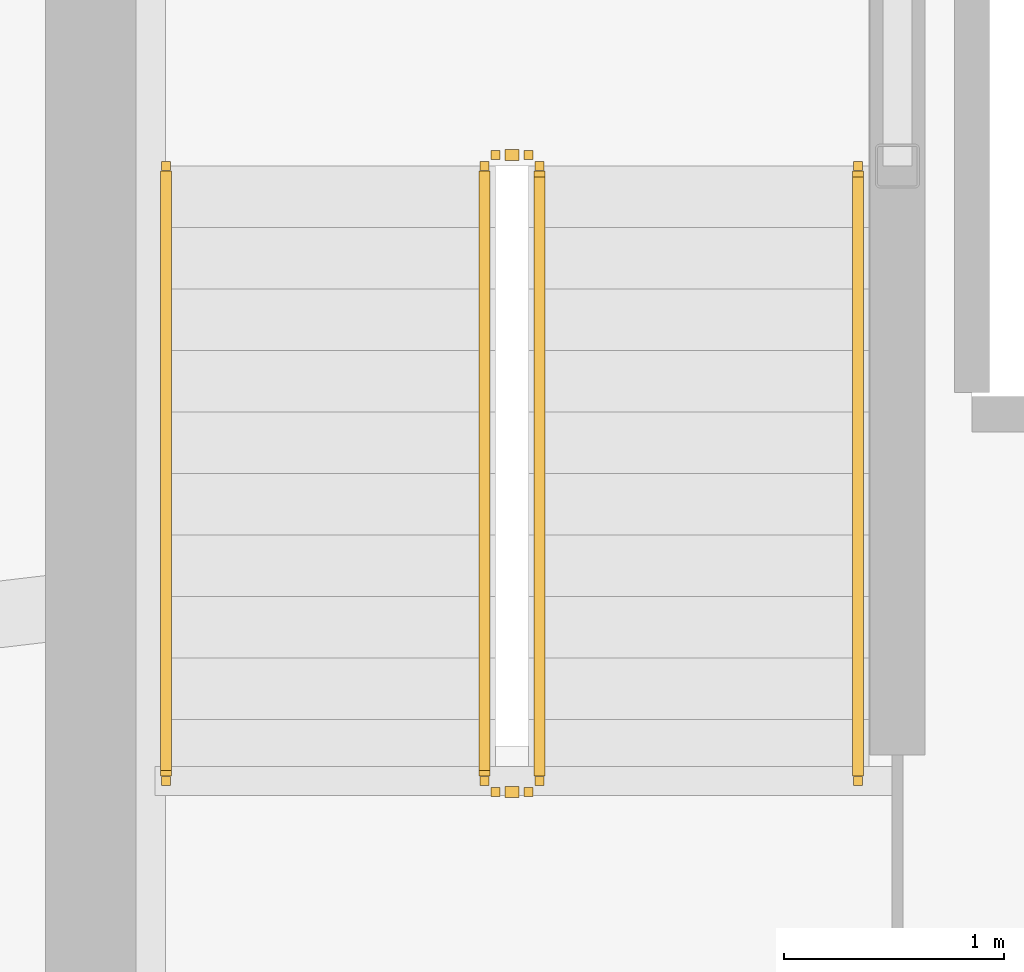
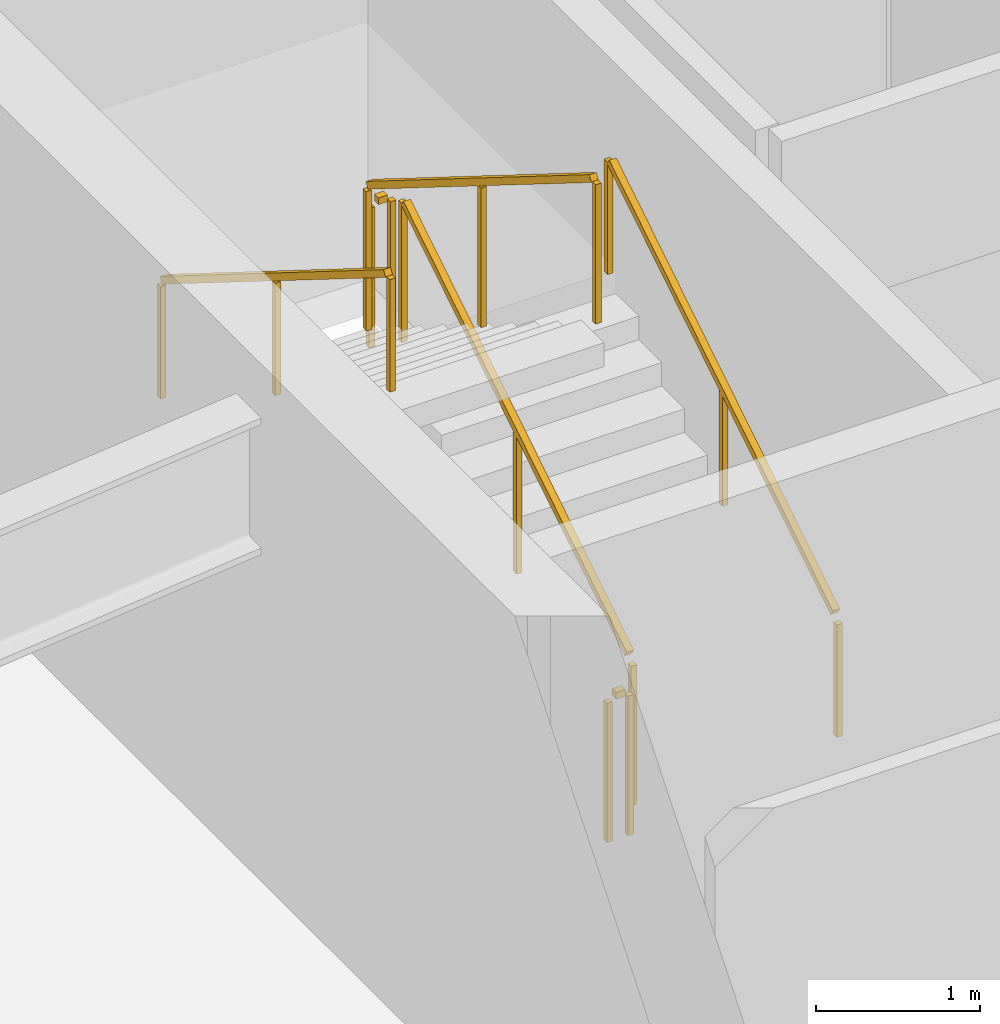
# One storey, part 25 of 30: 6 railings.
"""IFC4 building model written with IfcOpenShell, lengths in metres."""

from ifc_helpers import new_model, si_unit, direction, frame, origin, origin_2d, place, context, subcontext, project, spatial, rectangle, extrude, material, type_object, element, save


model = new_model("IFC4")

# Units and contexts
model_context = context("Model", 3, precision=1e-05, world=origin(), true_north=direction((0.0, 1.0)))
body_context = subcontext(model_context, "Body", "Model", "MODEL_VIEW")
ifc_project = project(units=[si_unit("LENGTHUNIT", "METRE"), si_unit("AREAUNIT", "SQUARE_METRE"), si_unit("VOLUMEUNIT", "CUBIC_METRE"), si_unit("PLANEANGLEUNIT", "RADIAN"), si_unit("MASSUNIT", "GRAM", prefix="KILO")], contexts=[model_context])

# Site, building, storey
site_placement = place(None, origin())
site = spatial("IfcSite", under=ifc_project, at=site_placement, CompositionType="ELEMENT")
building_placement = place(site_placement, origin())
building = spatial("IfcBuilding", under=site, at=building_placement, Name="Kazma Halo Residences", CompositionType="ELEMENT")
storey_placement = place(building_placement, frame((0.0, 0.0, 302.14990234375)))
storey = spatial("IfcBuildingStorey", under=building, at=storey_placement, Name="L76", CompositionType="ELEMENT", Elevation=302.14990234375)

# Railings
ifc_material_1 = material(Name="Painted Steel S355", Category="steel")
railing_type_1 = type_object("IfcRailingType", Name="RLG-STAIR-GRD-1100", PredefinedType="GUARDRAIL", material=ifc_material_1)
railing_1_placement = place(storey_placement, frame((39.550048828125, 39.949951171875, 0.175048828125)))
element("IfcRailing", 1, at=railing_1_placement, inside=storey, type_object=railing_type_1, Name="L76 ST-01 stair guard 1", PredefinedType="GUARDRAIL", context=body_context, shape_type="SweptSolid", body=[
    extrude(rectangle(XDim=0.050048828125, YDim=0.050048828125, at=origin_2d()), frame((0.0, 0.0361328125, 1.09765625), z_axis=(0.0, 0.848002457836, 0.529992293815), x_axis=(-1.0, 0.0, 0.0)), (0.0, 0.0, 1.0), 3.216796875),
    extrude(rectangle(XDim=0.0400390625, YDim=0.0400390625, at=origin_2d()), origin(), (0.0, 0.0, 1.0), 1.0380859375),
    extrude(rectangle(XDim=0.0400390625, YDim=0.0400390625, at=origin_2d()), frame((0.0, 1.39990234375, 0.875)), (0.0, 0.0, 1.0), 1.0380859375),
    extrude(rectangle(XDim=0.0400390625, YDim=0.0400390625, at=origin_2d()), frame((0.0, 2.800048828125, 1.75)), (0.0, 0.0, 1.0), 1.0380859375),
])
railing_2_placement = place(storey_placement, frame((39.5, 42.800048828125, 1.925048828125)))
element("IfcRailing", 2, at=railing_2_placement, inside=storey, type_object=railing_type_1, Name="L76 ST-01 stair guard 2", PredefinedType="GUARDRAIL", context=body_context, shape_type="SweptSolid", body=[
    extrude(rectangle(XDim=0.050048828125, YDim=0.050048828125, at=origin_2d()), frame((-0.04248046875, 0.0, 1.0751953125), z_axis=(-1.0, 0.0, 0.0), x_axis=(0.0, -1.0, 0.0)), (0.0, 0.0, 1.0), 0.06494140625),
    extrude(rectangle(XDim=0.0400390625, YDim=0.0400390625, at=origin_2d()), origin(), (0.0, 0.0, 1.0), 1.0380859375),
    extrude(rectangle(XDim=0.0400390625, YDim=0.0400390625, at=origin_2d()), frame((-0.14990234375, 0.0, 0.0)), (0.0, 0.0, 1.0), 1.0380859375),
])
railing_3_placement = place(storey_placement, frame((39.300048828125, 42.75, 2.10009765625)))
element("IfcRailing", 3, at=railing_3_placement, inside=storey, type_object=railing_type_1, Name="L76 ST-01 stair guard 3", PredefinedType="GUARDRAIL", context=body_context, shape_type="SweptSolid", body=[
    extrude(rectangle(XDim=0.050048828125, YDim=0.050048828125, at=origin_2d()), frame((0.0, -0.0361328125, 1.09765625), z_axis=(0.0, -0.848002457836, 0.529992293815), x_axis=(1.0, 0.0, 0.0)), (0.0, 0.0, 1.0), 3.216796875),
    extrude(rectangle(XDim=0.0400390625, YDim=0.0400390625, at=origin_2d()), origin(), (0.0, 0.0, 1.0), 1.0380859375),
    extrude(rectangle(XDim=0.0400390625, YDim=0.0400390625, at=origin_2d()), frame((0.0, -1.39990234375, 0.875)), (0.0, 0.0, 1.0), 1.0380859375),
    extrude(rectangle(XDim=0.0400390625, YDim=0.0400390625, at=origin_2d()), frame((0.0, -2.800048828125, 1.75)), (0.0, 0.0, 1.0), 1.0380859375),
])
railing_4_placement = place(storey_placement, frame((39.5, 39.89990234375, 0.0)))
element("IfcRailing", 4, at=railing_4_placement, inside=storey, type_object=railing_type_1, Name="L76 ST-01 stair guard 4", PredefinedType="GUARDRAIL", context=body_context, shape_type="SweptSolid", body=[
    extrude(rectangle(XDim=0.050048828125, YDim=0.050048828125, at=origin_2d()), frame((-0.04248046875, 0.0, 1.0751953125), z_axis=(-1.0, 0.0, 0.0), x_axis=(0.0, -1.0, 0.0)), (0.0, 0.0, 1.0), 0.06494140625),
    extrude(rectangle(XDim=0.0400390625, YDim=0.0400390625, at=origin_2d()), origin(), (0.0, 0.0, 1.0), 1.0380859375),
    extrude(rectangle(XDim=0.0400390625, YDim=0.0400390625, at=origin_2d()), frame((-0.14990234375, 0.0, 0.0)), (0.0, 0.0, 1.0), 1.0380859375),
])
ifc_material_2 = material(Name="Brushed Stainless Steel", Category="steel")
railing_type_2 = type_object("IfcRailingType", Name="RLG-STAIR-HND-900", PredefinedType="HANDRAIL", material=ifc_material_2)
railing_5_placement = place(storey_placement, frame((41.0, 39.949951171875, 0.175048828125)))
element("IfcRailing", 5, at=railing_5_placement, inside=storey, type_object=railing_type_2, Name="L76 ST-01 stair handrail 1", PredefinedType="HANDRAIL", context=body_context, shape_type="SweptSolid", body=[
    extrude(rectangle(XDim=0.050048828125, YDim=0.050048828125, at=origin_2d()), frame((0.0, 0.0361328125, 0.8974609375), z_axis=(0.0, 0.848002457836, 0.529992293815), x_axis=(-1.0, 0.0, 0.0)), (0.0, 0.0, 1.0), 3.216796875),
    extrude(rectangle(XDim=0.0400390625, YDim=0.0400390625, at=origin_2d()), origin(), (0.0, 0.0, 1.0), 0.837890625),
    extrude(rectangle(XDim=0.0400390625, YDim=0.0400390625, at=origin_2d()), frame((0.0, 1.39990234375, 0.875)), (0.0, 0.0, 1.0), 0.837890625),
    extrude(rectangle(XDim=0.0400390625, YDim=0.0400390625, at=origin_2d()), frame((0.0, 2.800048828125, 1.75)), (0.0, 0.0, 1.0), 0.837890625),
])
railing_6_placement = place(storey_placement, frame((37.85009765625, 42.75, 2.10009765625)))
element("IfcRailing", 6, at=railing_6_placement, inside=storey, type_object=railing_type_2, Name="L76 ST-01 stair handrail 2", PredefinedType="HANDRAIL", context=body_context, shape_type="SweptSolid", body=[
    extrude(rectangle(XDim=0.050048828125, YDim=0.050048828125, at=origin_2d()), frame((0.0, -0.0361328125, 0.8974609375), z_axis=(0.0, -0.848002457836, 0.529992293815), x_axis=(1.0, 0.0, 0.0)), (0.0, 0.0, 1.0), 3.216796875),
    extrude(rectangle(XDim=0.0400390625, YDim=0.0400390625, at=origin_2d()), origin(), (0.0, 0.0, 1.0), 0.837890625),
    extrude(rectangle(XDim=0.0400390625, YDim=0.0400390625, at=origin_2d()), frame((0.0, -1.39990234375, 0.875)), (0.0, 0.0, 1.0), 0.837890625),
    extrude(rectangle(XDim=0.0400390625, YDim=0.0400390625, at=origin_2d()), frame((0.0, -2.800048828125, 1.75)), (0.0, 0.0, 1.0), 0.837890625),
])

save(model, "model.ifc")
